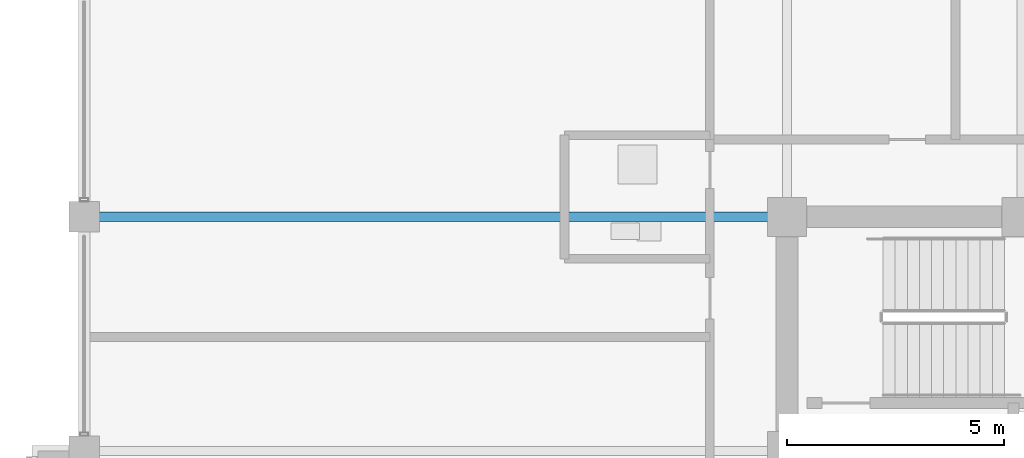
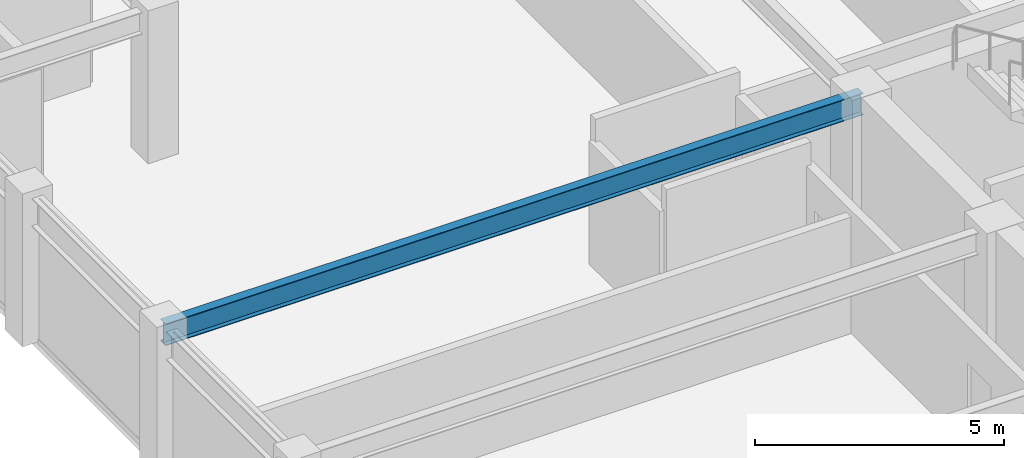
# One storey, part 13 of 29: 1 beam.
"""IFC4 building model written with IfcOpenShell, lengths in metres."""

from ifc_helpers import new_model, si_unit, direction, frame, origin, origin_2d, place, context, subcontext, project, spatial, i_section, extrude, material, material_profile, profile_set, type_object, element, save


model = new_model("IFC4")

# Units and contexts
model_context = context("Model", 3, precision=1e-05, world=origin(), true_north=direction((0.0, 1.0)))
body_context = subcontext(model_context, "Body", "Model", "MODEL_VIEW")
ifc_project = project(units=[si_unit("LENGTHUNIT", "METRE"), si_unit("AREAUNIT", "SQUARE_METRE"), si_unit("VOLUMEUNIT", "CUBIC_METRE"), si_unit("PLANEANGLEUNIT", "RADIAN"), si_unit("MASSUNIT", "GRAM", prefix="KILO")], contexts=[model_context])

# Site, building, storey
site_placement = place(None, origin())
site = spatial("IfcSite", under=ifc_project, at=site_placement, CompositionType="ELEMENT")
building_placement = place(site_placement, origin())
building = spatial("IfcBuilding", under=site, at=building_placement, Name="Surkhivell Harbour Commons", CompositionType="ELEMENT")
storey_placement = place(building_placement, frame((0.0, 0.0, 273.75)))
storey = spatial("IfcBuildingStorey", under=building, at=storey_placement, Name="L71", CompositionType="ELEMENT", Elevation=273.75)

# Beam
ifc_material = material(Name="Steel S355", Category="steel")
ifc_material_profile = material_profile(ifc_material, i_section(OverallWidth=0.2099609375, OverallDepth=0.537109375, WebThickness=0.0107421875, FlangeThickness=0.017333984375, at=origin_2d()), Name="UB533x210x101")
ifc_profile_set = profile_set([ifc_material_profile], Name="Steel S355")
beam_type = type_object("IfcBeamType", Name="BM-GRD-533B", PredefinedType="BEAM", material=ifc_profile_set)
beam_placement = place(storey_placement, frame((-27.0, 10.800048828125, 3.301513671875), z_axis=(1.0, 0.0, 0.0), x_axis=(0.0, 1.0, 0.0)))
element("IfcBeam", 1, at=beam_placement, inside=storey, type_object=beam_type, Name="L71 Floor Girder (-27.0,10.8)", PredefinedType="BEAM", context=body_context, shape_type="SweptSolid", body=[
    extrude(i_section(OverallWidth=0.2099609375, OverallDepth=0.537109375, WebThickness=0.0107421875, FlangeThickness=0.017333984375, at=origin_2d()), origin(), (0.0, 0.0, 1.0), 16.199951171875),
])

save(model, "model.ifc")
